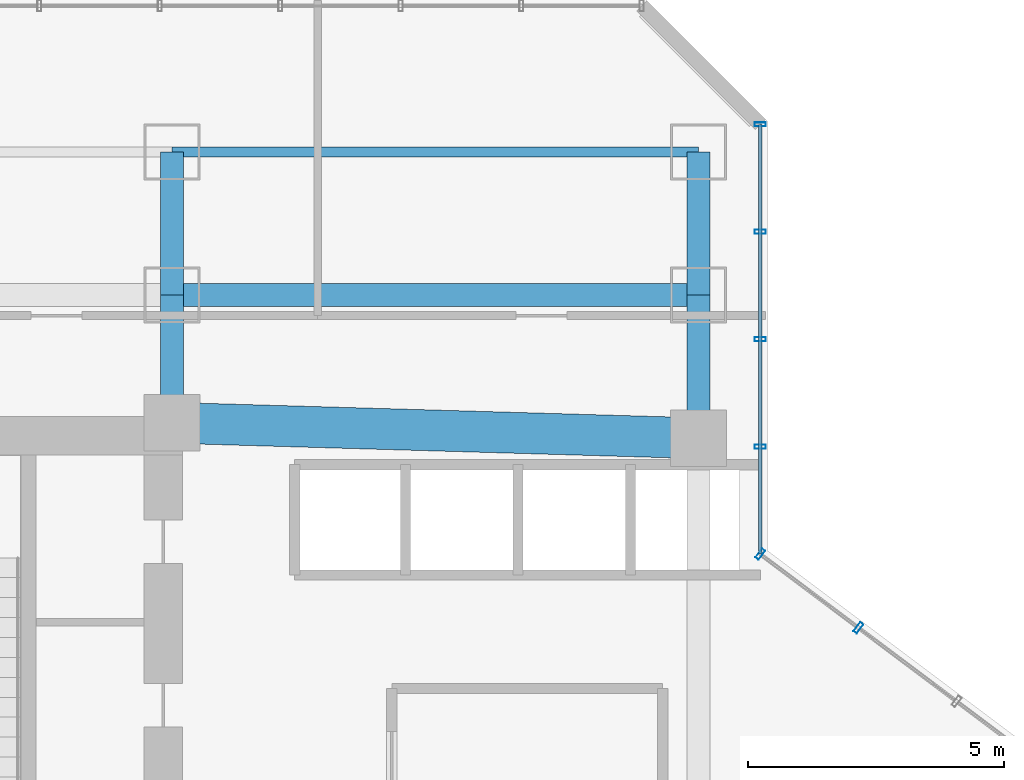
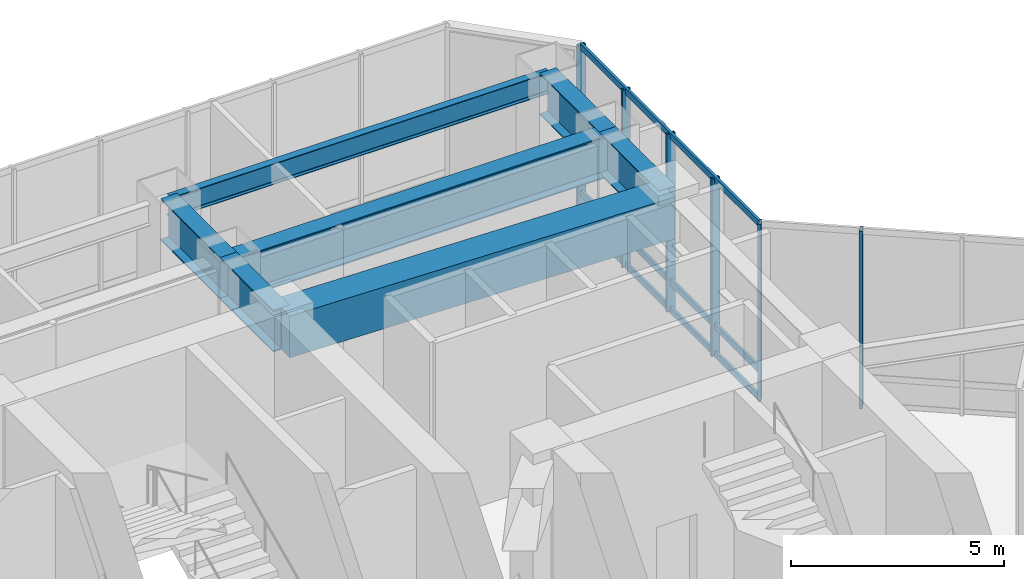
# One storey, part 26 of 38: 9 members, 7 beams, 2 elements without a shape of their own.
"""IFC4 building model written with IfcOpenShell, lengths in metres."""

from ifc_helpers import new_model, si_unit, direction, frame, origin, origin_2d, place, context, subcontext, project, spatial, rectangle, hollow_rectangle, i_section, extrude, material, layer, layer_set, material_profile, profile_set, type_object, element, aggregate, save


model = new_model("IFC4")

# Units and contexts
model_context = context("Model", 3, precision=1e-05, world=origin(), true_north=direction((0.0, 1.0)))
body_context = subcontext(model_context, "Body", "Model", "MODEL_VIEW")
ifc_project = project(units=[si_unit("LENGTHUNIT", "METRE"), si_unit("AREAUNIT", "SQUARE_METRE"), si_unit("VOLUMEUNIT", "CUBIC_METRE"), si_unit("PLANEANGLEUNIT", "RADIAN"), si_unit("MASSUNIT", "GRAM", prefix="KILO")], contexts=[model_context])

# Site, building, storey
site_placement = place(None, origin())
site = spatial("IfcSite", under=ifc_project, at=site_placement, CompositionType="ELEMENT")
building_placement = place(site_placement, origin())
building = spatial("IfcBuilding", under=site, at=building_placement, Name="Hatsunagi Terrace Concourse", CompositionType="ELEMENT")
storey_placement = place(building_placement, frame((0.0, 0.0, 21.60009765625)))
storey = spatial("IfcBuildingStorey", under=building, at=storey_placement, Name="L05", CompositionType="ELEMENT", Elevation=21.60009765625)

# Beam
ifc_material_1 = material(Name="Concrete Fc60", Category="concrete")
ifc_material_profile_1 = material_profile(ifc_material_1, rectangle(XDim=0.800048828125, YDim=1.199951171875, at=origin_2d()), Name="RC-800x1200")
ifc_profile_set_1 = profile_set([ifc_material_profile_1], Name="Concrete Fc60")
beam_type_1 = type_object("IfcBeamType", Name="CoreCouplingBeam_RC_800x1200", PredefinedType="BEAM", material=ifc_profile_set_1)
beam_1_placement = place(storey_placement, frame((33.35009765625, 43.300048828125, 4.5), z_axis=(0.999575947545, -0.029119153303, 0.0), x_axis=(0.029119153303, 0.999575947545, 0.0)))
element("IfcBeam", 1, at=beam_1_placement, inside=storey, type_object=beam_type_1, Name="Beam CB-01 CB-L05-2", PredefinedType="BEAM", context=body_context, shape_type="SweptSolid", body=[
    extrude(rectangle(XDim=0.800048828125, YDim=1.199951171875, at=origin_2d()), origin(), (0.0, 0.0, 1.0), 10.30419921875),
])

# Curtain wall, members
ifc_material_2 = material(Name="Anodised Aluminium Alloy 6063-T5", Category="aluminium")
ifc_layer = layer(ifc_material_2, 0.199951171875)
ifc_layer_set = layer_set([ifc_layer], Name="PodiumStorefront_CW01")
curtain_wall_type = type_object("IfcCurtainWallType", Name="PodiumStorefront_CW01", PredefinedType="NOTDEFINED", material=ifc_layer_set)
curtain_wall_1_placement = place(storey_placement, origin())
curtain_wall_1 = element("IfcCurtainWall", 2, at=curtain_wall_1_placement, inside=storey, type_object=curtain_wall_type, Name="Unitised Curtain Wall CW-01 CW-L05-01", PredefinedType="NOTDEFINED")
ifc_material_3 = material(Name="Anodised Aluminium Alloy 6063-T5", Category="aluminium")
ifc_material_profile_2 = material_profile(ifc_material_3, hollow_rectangle(XDim=0.080078125, YDim=0.219970703125, WallThickness=0.0048828125, at=origin_2d()), Name="ALU-MUL-220x80x5")
ifc_profile_set_2 = profile_set([ifc_material_profile_2], Name="Anodised Aluminium Alloy 6063-T5")
member_type_1 = type_object("IfcMemberType", Name="CurtainWallMullion_Heavy_220x80", PredefinedType="MULLION", material=ifc_profile_set_2)
member_1_placement = place(storey_placement, frame((44.860107421875, 40.72998046875, 0.0), z_axis=(0.0, 0.0, 1.0), x_axis=(0.800007305671, -0.599990258982, 0.0)))
member_1 = element("IfcMember", 3, at=member_1_placement, type_object=member_type_1, Name="Curtain Wall Mullion MUL-01", PredefinedType="MULLION", context=body_context, shape_type="SweptSolid", body=[
    extrude(hollow_rectangle(XDim=0.080078125, YDim=0.219970703125, WallThickness=0.0048828125, at=origin_2d()), origin(), (0.0, 0.0, 1.0), 5.099853515625),
])
member_2_placement = place(storey_placement, frame((46.781005859375, 39.2890625, 0.0), z_axis=(0.0, 0.0, 1.0), x_axis=(0.800007305671, -0.599990258982, 0.0)))
member_2 = element("IfcMember", 4, at=member_2_placement, type_object=member_type_1, Name="Curtain Wall Mullion MUL-01", PredefinedType="MULLION", context=body_context, shape_type="SweptSolid", body=[
    extrude(hollow_rectangle(XDim=0.080078125, YDim=0.219970703125, WallThickness=0.0048828125, at=origin_2d()), origin(), (0.0, 0.0, 1.0), 5.099853515625),
])
aggregate(curtain_wall_1, [member_1, member_2])

curtain_wall_2_placement = place(storey_placement, origin())
curtain_wall_2 = element("IfcCurtainWall", 5, at=curtain_wall_2_placement, inside=storey, type_object=curtain_wall_type, Name="Unitised Curtain Wall CW-01 CW-L05-13", PredefinedType="NOTDEFINED")
member_3_placement = place(storey_placement, frame((44.860107421875, 49.14208984375, 0.0), z_axis=(0.0, 0.0, 1.0), x_axis=(0.0, -1.0, 0.0)))
member_3 = element("IfcMember", 6, at=member_3_placement, type_object=member_type_1, Name="Curtain Wall Mullion MUL-01", PredefinedType="MULLION", context=body_context, shape_type="SweptSolid", body=[
    extrude(hollow_rectangle(XDim=0.080078125, YDim=0.219970703125, WallThickness=0.0048828125, at=origin_2d()), origin(), (0.0, 0.0, 1.0), 5.099853515625),
])
member_4_placement = place(storey_placement, frame((44.860107421875, 47.0390625, 0.0), z_axis=(0.0, 0.0, 1.0), x_axis=(0.0, -1.0, 0.0)))
member_4 = element("IfcMember", 7, at=member_4_placement, type_object=member_type_1, Name="Curtain Wall Mullion MUL-01", PredefinedType="MULLION", context=body_context, shape_type="SweptSolid", body=[
    extrude(hollow_rectangle(XDim=0.080078125, YDim=0.219970703125, WallThickness=0.0048828125, at=origin_2d()), origin(), (0.0, 0.0, 1.0), 5.099853515625),
])
member_5_placement = place(storey_placement, frame((44.860107421875, 44.93603515625, 0.0), z_axis=(0.0, 0.0, 1.0), x_axis=(0.0, -1.0, 0.0)))
member_5 = element("IfcMember", 8, at=member_5_placement, type_object=member_type_1, Name="Curtain Wall Mullion MUL-01", PredefinedType="MULLION", context=body_context, shape_type="SweptSolid", body=[
    extrude(hollow_rectangle(XDim=0.080078125, YDim=0.219970703125, WallThickness=0.0048828125, at=origin_2d()), origin(), (0.0, 0.0, 1.0), 5.099853515625),
])
member_6_placement = place(storey_placement, frame((44.860107421875, 42.8330078125, 0.0), z_axis=(0.0, 0.0, 1.0), x_axis=(0.0, -1.0, 0.0)))
member_6 = element("IfcMember", 9, at=member_6_placement, type_object=member_type_1, Name="Curtain Wall Mullion MUL-01", PredefinedType="MULLION", context=body_context, shape_type="SweptSolid", body=[
    extrude(hollow_rectangle(XDim=0.080078125, YDim=0.219970703125, WallThickness=0.0048828125, at=origin_2d()), origin(), (0.0, 0.0, 1.0), 5.099853515625),
])
ifc_material_4 = material(Name="Anodised Aluminium Alloy 6063-T5", Category="aluminium")
ifc_material_profile_3 = material_profile(ifc_material_4, hollow_rectangle(XDim=0.070068359375, YDim=0.179931640625, WallThickness=0.00390625, at=origin_2d()), Name="ALU-TRN-180x70x4")
ifc_profile_set_3 = profile_set([ifc_material_profile_3], Name="Anodised Aluminium Alloy 6063-T5")
member_type_2 = type_object("IfcMemberType", Name="CurtainWallTransom_Heavy_180x70", PredefinedType="USERDEFINED", material=ifc_profile_set_3)
member_7_placement = place(storey_placement, frame((44.860107421875, 49.14208984375, 0.0498046875), z_axis=(0.0, -1.0, 0.0), x_axis=(1.0, 0.0, 0.0)))
member_7 = element("IfcMember", 10, at=member_7_placement, type_object=member_type_2, Name="Curtain Wall Transom TRN-01", ObjectType="TRANSOM", PredefinedType="USERDEFINED", context=body_context, shape_type="SweptSolid", body=[
    extrude(hollow_rectangle(XDim=0.070068359375, YDim=0.179931640625, WallThickness=0.00390625, at=origin_2d()), origin(), (0.0, 0.0, 1.0), 8.412109375),
])
member_8_placement = place(storey_placement, frame((44.860107421875, 49.14208984375, 0.849853515625), z_axis=(0.0, -1.0, 0.0), x_axis=(1.0, 0.0, 0.0)))
member_8 = element("IfcMember", 11, at=member_8_placement, type_object=member_type_2, Name="Curtain Wall Transom TRN-01", ObjectType="TRANSOM", PredefinedType="USERDEFINED", context=body_context, shape_type="SweptSolid", body=[
    extrude(hollow_rectangle(XDim=0.070068359375, YDim=0.179931640625, WallThickness=0.00390625, at=origin_2d()), origin(), (0.0, 0.0, 1.0), 8.412109375),
])
member_9_placement = place(storey_placement, frame((44.860107421875, 49.14208984375, 5.0498046875), z_axis=(0.0, -1.0, 0.0), x_axis=(1.0, 0.0, 0.0)))
member_9 = element("IfcMember", 12, at=member_9_placement, type_object=member_type_2, Name="Curtain Wall Transom TRN-01", ObjectType="TRANSOM", PredefinedType="USERDEFINED", context=body_context, shape_type="SweptSolid", body=[
    extrude(hollow_rectangle(XDim=0.070068359375, YDim=0.179931640625, WallThickness=0.00390625, at=origin_2d()), origin(), (0.0, 0.0, 1.0), 8.412109375),
])
aggregate(curtain_wall_2, [member_3, member_4, member_5, member_6, member_7, member_8, member_9])

# Beams
ifc_material_5 = material(Name="Steel SN490B", Category="steel")
ifc_material_profile_4 = material_profile(ifc_material_5, i_section(OverallWidth=0.199951171875, OverallDepth=0.60009765625, WebThickness=0.010986328125, FlangeThickness=0.01708984375, FilletRadius=0.01806640625, at=origin_2d()), Name="H-600x200x11x17")
ifc_profile_set_4 = profile_set([ifc_material_profile_4], Name="Steel SN490B")
beam_type_2 = type_object("IfcBeamType", Name="PerimeterSpandrel_H_600x200", PredefinedType="SPANDREL", material=ifc_profile_set_4)
beam_2_placement = place(storey_placement, frame((33.35009765625, 48.60009765625, 4.7998046875), z_axis=(1.0, 0.0, 0.0), x_axis=(0.0, 1.0, 0.0)))
element("IfcBeam", 13, at=beam_2_placement, inside=storey, type_object=beam_type_2, Name="Beam SP-01 BM-L05-WN-33", PredefinedType="SPANDREL", context=body_context, shape_type="SweptSolid", body=[
    extrude(i_section(OverallWidth=0.199951171875, OverallDepth=0.60009765625, WebThickness=0.010986328125, FlangeThickness=0.01708984375, FilletRadius=0.01806640625, at=origin_2d()), origin(), (0.0, 0.0, 1.0), 10.2998046875),
])
ifc_material_6 = material(Name="Steel SN490B", Category="steel")
ifc_material_profile_5 = material_profile(ifc_material_6, i_section(OverallWidth=0.449951171875, OverallDepth=1.199951171875, WebThickness=0.02490234375, FlangeThickness=0.035888671875, at=origin_2d()), Name="BH-1200x450x25x36")
ifc_profile_set_5 = profile_set([ifc_material_profile_5], Name="Steel SN490B")
beam_type_3 = type_object("IfcBeamType", Name="PodiumHallGirder_BH_1200x450x25x36", PredefinedType="BEAM", material=ifc_profile_set_5)
beam_3_placement = place(storey_placement, frame((33.35009765625, 43.300048828125, 4.5), z_axis=(0.0, 1.0, 0.0), x_axis=(-1.0, 0.0, 0.0)))
element("IfcBeam", 14, at=beam_3_placement, inside=storey, type_object=beam_type_3, Name="Beam G-01 BM-L05-CN2", PredefinedType="BEAM", context=body_context, shape_type="SweptSolid", body=[
    extrude(i_section(OverallWidth=0.449951171875, OverallDepth=1.199951171875, WebThickness=0.02490234375, FlangeThickness=0.035888671875, at=origin_2d()), origin(), (0.0, 0.0, 1.0), 2.5),
])
beam_4_placement = place(storey_placement, frame((43.64990234375, 43.0, 4.5), z_axis=(0.0, 1.0, 0.0), x_axis=(-1.0, 0.0, 0.0)))
element("IfcBeam", 15, at=beam_4_placement, inside=storey, type_object=beam_type_3, Name="Beam G-01 BM-L05-CN3", PredefinedType="BEAM", context=body_context, shape_type="SweptSolid", body=[
    extrude(i_section(OverallWidth=0.449951171875, OverallDepth=1.199951171875, WebThickness=0.02490234375, FlangeThickness=0.035888671875, at=origin_2d()), origin(), (0.0, 0.0, 1.0), 2.800048828125),
])
beam_5_placement = place(storey_placement, frame((33.35009765625, 45.800048828125, 4.5), z_axis=(1.0, 0.0, 0.0), x_axis=(0.0, 1.0, 0.0)))
element("IfcBeam", 16, at=beam_5_placement, inside=storey, type_object=beam_type_3, Name="Beam G-01 BM-L05-CNEW2", PredefinedType="BEAM", context=body_context, shape_type="SweptSolid", body=[
    extrude(i_section(OverallWidth=0.449951171875, OverallDepth=1.199951171875, WebThickness=0.02490234375, FlangeThickness=0.035888671875, at=origin_2d()), origin(), (0.0, 0.0, 1.0), 10.2998046875),
])
for number, where, z_axis, x_axis, name in (
    (17, (33.35009765625, 45.800048828125, 4.5), (0.0, 1.0, 0.0), (-1.0, 0.0, 0.0), "Beam G-01 BM-L05-KN-WN5"),
    (18, (43.64990234375, 45.800048828125, 4.5), (0.0, 1.0, 0.0), (-1.0, 0.0, 0.0), "Beam G-01 BM-L05-KN-WN6"),
):
    element("IfcBeam", number, at=place(storey_placement, frame(where, z_axis=z_axis, x_axis=x_axis)), inside=storey, type_object=beam_type_3, Name=name, PredefinedType="BEAM", context=body_context, shape_type="SweptSolid", body=[
        extrude(i_section(OverallWidth=0.449951171875, OverallDepth=1.199951171875, WebThickness=0.02490234375, FlangeThickness=0.035888671875, at=origin_2d()), origin(), (0.0, 0.0, 1.0), 2.800048828125),
    ])

save(model, "model.ifc")
